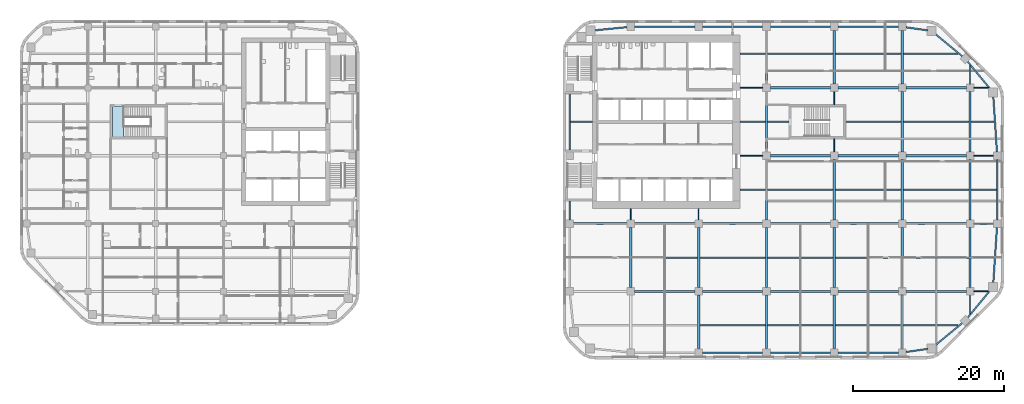
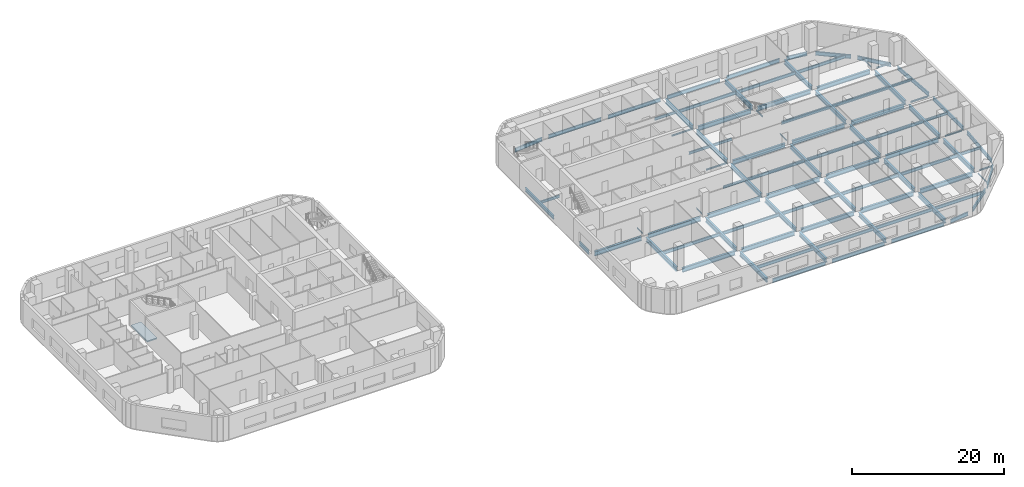
# One storey, part 3 of 16: 93 beams, 1 slab, 1 element without a shape of its own.
"""IFC4 building model written with IfcOpenShell, lengths in metres."""

import ifcopenshell
import ifcopenshell.guid

model = None  # the IFC model being written
_history = None  # IfcOwnerHistory: only IFC2X3 demands one
_inside = {}  # id of a spatial element -> (the spatial element, [elements in it])
_under = {}  # id of a project, library or spatial element -> (it, [spatial elements below it])
_declared = {}  # id of a project -> (the project, [libraries it declares])
_typed = {}  # id of a type object -> (the type object, [elements of that type])
_made_of = {}  # id of a material, layer set ... -> (it, [elements and type objects made of it])


def new_model(schema):
    """Start an empty IFC model of exactly this schema.

    Asked for "IFC4X3", IfcOpenShell would pick the latest addendum, in which some entities
    have other attributes; the version numbers below select the first issue.
    IFC2X3 requires an IfcOwnerHistory on every rooted entity: one is made here for all.
    """
    global model, _history
    if schema == "IFC4X3":
        model = ifcopenshell.file(schema_version=(4, 3, 0, 0))
    else:
        model = ifcopenshell.file(schema=schema)
    _inside.clear()
    _under.clear()
    _declared.clear()
    _typed.clear()
    _made_of.clear()
    _history = None
    if model.schema == "IFC2X3":
        org = make("IfcOrganization", Name="unknown")
        user = make(
            "IfcPersonAndOrganization",
            ThePerson=make("IfcPerson", FamilyName="unknown"),
            TheOrganization=org,
        )
        app = make(
            "IfcApplication",
            ApplicationDeveloper=org,
            Version="unknown",
            ApplicationFullName="unknown",
            ApplicationIdentifier="unknown",
        )
        _history = make(
            "IfcOwnerHistory",
            OwningUser=user,
            OwningApplication=app,
            ChangeAction="ADDED",
            CreationDate=0,
        )
    return model


def make(cls, **values):
    """One entity of the class cls with the attributes given. An attribute that is None is left unset."""
    return model.create_entity(
        cls, **{name: value for name, value in values.items() if value is not None}
    )


def rooted(cls, **values):
    """An entity with a GlobalId (a new one), such as an element, a storey or a relation."""
    return make(cls, GlobalId=ifcopenshell.guid.new(), OwnerHistory=_history, **values)


def si_unit(unit_type, name, prefix=None):
    """IfcSIUnit, for example si_unit("LENGTHUNIT", "METRE", prefix="MILLI")."""
    return make("IfcSIUnit", UnitType=unit_type, Prefix=prefix, Name=name)


def assignment(units):
    """IfcUnitAssignment: the units of a project."""
    return None if units is None else make("IfcUnitAssignment", Units=units)


def point(xyz):
    """IfcCartesianPoint."""
    return None if xyz is None else make("IfcCartesianPoint", Coordinates=xyz)


def direction(xyz):
    """IfcDirection."""
    return None if xyz is None else make("IfcDirection", DirectionRatios=xyz)


def frame(location, z_axis=None, x_axis=None):
    """IfcAxis2Placement3D, a coordinate frame: its origin and axes. An axis left out is left unset."""
    return make(
        "IfcAxis2Placement3D",
        Location=point(location),
        Axis=direction(z_axis),
        RefDirection=direction(x_axis),
    )


def frame_2d(location, x_axis=None):
    """IfcAxis2Placement2D, a coordinate frame in the plane: its origin and x axis."""
    return make(
        "IfcAxis2Placement2D", Location=point(location), RefDirection=direction(x_axis)
    )


def origin():
    """The frame at (0, 0, 0) with its axes left unset."""
    return frame((0.0, 0.0, 0.0))


def origin_2d():
    """The frame at (0, 0) in the plane with its x axis left unset."""
    return frame_2d((0.0, 0.0))


def place(relative_to, where):
    """IfcLocalPlacement: puts the frame where relative to a parent placement (None: the world)."""
    return make(
        "IfcLocalPlacement", PlacementRelTo=relative_to, RelativePlacement=where
    )


def context(
    kind, dimensions, precision=None, world=None, true_north=None, identifier=None
):
    """IfcGeometricRepresentationContext, for example the 3D "Model" context."""
    return make(
        "IfcGeometricRepresentationContext",
        ContextIdentifier=identifier,
        ContextType=kind,
        CoordinateSpaceDimension=dimensions,
        Precision=precision,
        WorldCoordinateSystem=world,
        TrueNorth=true_north,
    )


def subcontext(parent, identifier, kind, view, scale=None):
    """IfcGeometricRepresentationSubContext, for example "Body" below "Model"."""
    return make(
        "IfcGeometricRepresentationSubContext",
        ContextIdentifier=identifier,
        ContextType=kind,
        ParentContext=parent,
        TargetScale=scale,
        TargetView=view,
    )


def project(units=None, contexts=None):
    """IfcProject with its units and contexts."""
    return rooted(
        "IfcProject",
        Name="project",
        RepresentationContexts=contexts,
        UnitsInContext=assignment(units),
    )


def spatial(cls, under=None, at=None, **own):
    """A site, building, storey or space (cls), placed at a placement, below another one or the project."""
    s = rooted(cls, ObjectPlacement=at, **own)
    if under is not None:
        _under.setdefault(under.id(), (under, []))[1].append(s)
    return s


def polyline(points):
    """IfcPolyline through the points."""
    return make("IfcPolyline", Points=[point(p) for p in points])


def profile(cls, at=None, kind="AREA", **sizes):
    """A parametric profile (cls). Its sizes go by their IFC names, for example OverallWidth=200.0."""
    return make(cls, ProfileType=kind, Position=at, **sizes)


def i_section(**sizes):
    """IfcIShapeProfileDef."""
    return profile("IfcIShapeProfileDef", **sizes)


def outline(outer, holes=None, kind="AREA"):
    """IfcArbitraryClosedProfileDef: a profile drawn as a closed curve; with holes, ...WithVoids."""
    if holes is None:
        return make("IfcArbitraryClosedProfileDef", ProfileType=kind, OuterCurve=outer)
    return make(
        "IfcArbitraryProfileDefWithVoids",
        ProfileType=kind,
        OuterCurve=outer,
        InnerCurves=holes,
    )


def extrude(swept, where, along, depth):
    """IfcExtrudedAreaSolid: the profile swept, set in the frame where, extruded along a direction by depth."""
    return make(
        "IfcExtrudedAreaSolid",
        SweptArea=swept,
        Position=where,
        ExtrudedDirection=direction(along),
        Depth=depth,
    )


def shape(context_of_items, identifier, shape_type, items):
    """IfcShapeRepresentation: the items that make up one representation, for example the "Body"."""
    return make(
        "IfcShapeRepresentation",
        ContextOfItems=context_of_items,
        RepresentationIdentifier=identifier,
        RepresentationType=shape_type,
        Items=items,
    )


def material(Name=None, Category=None):
    """IfcMaterial."""
    return make("IfcMaterial", Name=Name, Category=Category)


def layer(
    of_material, thickness, ventilated=None, Name=None, Category=None, Priority=None
):
    """IfcMaterialLayer: one layer of a wall or slab, of a material (None: an air gap)."""
    return make(
        "IfcMaterialLayer",
        Material=of_material,
        LayerThickness=thickness,
        IsVentilated=ventilated,
        Name=Name,
        Category=Category,
        Priority=Priority,
    )


def layer_set(layers, Name=None):
    """IfcMaterialLayerSet."""
    return make("IfcMaterialLayerSet", MaterialLayers=layers, LayerSetName=Name)


def material_profile(
    of_material, cross_section, Name=None, Category=None, Priority=None
):
    """IfcMaterialProfile: a cross section and its material."""
    return make(
        "IfcMaterialProfile",
        Name=Name,
        Material=of_material,
        Profile=cross_section,
        Priority=Priority,
        Category=Category,
    )


def profile_set(profiles, Name=None, composite=None):
    """IfcMaterialProfileSet."""
    return make(
        "IfcMaterialProfileSet",
        Name=Name,
        MaterialProfiles=profiles,
        CompositeProfile=composite,
    )


def made_of(thing, what):
    """Note that an element or type object is made of a material, layer set ...; save() writes the relation."""
    if what is not None:
        _made_of.setdefault(what.id(), (what, []))[1].append(thing)
    return thing


def type_object(cls, material=None, **own):
    """A type object (cls), such as IfcWallType, which elements share."""
    return made_of(rooted(cls, **own), material)


def element(
    cls,
    number,
    at=None,
    inside=None,
    cuts=None,
    type_object=None,
    material=None,
    context=None,
    identifier="Body",
    shape_type=None,
    held_by="IfcProductDefinitionShape",
    body=None,
    shapes=None,
    **own,
):
    """One element of the class cls, such as IfcWall. Its Tag is "e" and its number.

    at: its placement. inside: the storey or other place that contains it. cuts: it is an
    opening in that element (IfcRelVoidsElement). A single representation is given by context,
    identifier, shape_type and body (its items); several are given by shapes. held_by: the class
    of the entity that holds the representations. save() writes the other relations.
    """
    e = rooted(cls, Tag="e%d" % number, ObjectPlacement=at, **own)
    if body is not None:
        shapes = [shape(context, identifier, shape_type, body)]
    if shapes is not None:
        e.Representation = make(held_by, Representations=shapes)
    if inside is not None:
        _inside.setdefault(inside.id(), (inside, []))[1].append(e)
    if cuts is not None:
        rooted(
            "IfcRelVoidsElement", RelatingBuildingElement=cuts, RelatedOpeningElement=e
        )
    if type_object is not None:
        _typed.setdefault(type_object.id(), (type_object, []))[1].append(e)
    return made_of(e, material)


def aggregate(whole, parts):
    """IfcRelAggregates: a whole, such as a stair, and the parts it consists of."""
    return rooted("IfcRelAggregates", RelatingObject=whole, RelatedObjects=parts)


def save(model, path):
    """Write the relations noted so far, then the file.

    IfcRelAggregates (storeys below a building ...), IfcRelContainedInSpatialStructure (elements
    in a storey), IfcRelDefinesByType, IfcRelAssociatesMaterial and IfcRelDeclares: one each for
    every whole, place, type object, material and project.
    """
    for whole, parts in _under.values():
        aggregate(whole, parts)
    for where, things in _inside.values():
        rooted(
            "IfcRelContainedInSpatialStructure",
            RelatedElements=things,
            RelatingStructure=where,
        )
    for kind, things in _typed.values():
        rooted("IfcRelDefinesByType", RelatedObjects=things, RelatingType=kind)
    for what, things in _made_of.values():
        rooted("IfcRelAssociatesMaterial", RelatedObjects=things, RelatingMaterial=what)
    for by, libraries in _declared.values():
        rooted("IfcRelDeclares", RelatingContext=by, RelatedDefinitions=libraries)
    model.write(path)


model = new_model("IFC4")

# Units and contexts
model_context = context("Model", 3, precision=1e-05, world=origin(), true_north=direction((0.0, 1.0)))
body_context = subcontext(model_context, "Body", "Model", "MODEL_VIEW")
ifc_project = project(units=[si_unit("LENGTHUNIT", "METRE"), si_unit("AREAUNIT", "SQUARE_METRE"), si_unit("VOLUMEUNIT", "CUBIC_METRE"), si_unit("PLANEANGLEUNIT", "RADIAN"), si_unit("MASSUNIT", "GRAM", prefix="KILO")], contexts=[model_context])

# Site, building, storey
site_placement = place(None, origin())
site = spatial("IfcSite", under=ifc_project, at=site_placement, CompositionType="ELEMENT")
building_placement = place(site_placement, origin())
building = spatial("IfcBuilding", under=site, at=building_placement, Name="Cinnabar Reach Civic Tower", CompositionType="ELEMENT")
storey_placement = place(building_placement, frame((0.0, 0.0, 34.0)))
storey = spatial("IfcBuildingStorey", under=building, at=storey_placement, Name="L07", CompositionType="ELEMENT", Elevation=34.0)

# Beams
ifc_material_1 = material(Name="Steel Q355B", Category="steel")
ifc_material_profile_1 = material_profile(ifc_material_1, i_section(OverallWidth=0.099, OverallDepth=0.198, WebThickness=0.0045, FlangeThickness=0.007, FilletRadius=0.013, at=origin_2d()), Name="HN200x100x5.5x8")
ifc_profile_set_1 = profile_set([ifc_material_profile_1], Name="Steel Q355B")
beam_type_1 = type_object("IfcBeamType", Name="HN200x100x5.5x8 beam R 180", PredefinedType="BEAM", material=ifc_profile_set_1)
for number, where, z_axis, x_axis, name in (
    (1, (9.0, 18.502, -0.249), (0.0, 1.0, 0.0), (-1.0, 0.0, 0.0), "Girder T1 L07 3"),
    (2, (18.0, 18.502, -0.249), (0.0, 1.0, 0.0), (-1.0, 0.0, 0.0), "Girder T1 L07 6"),
):
    element("IfcBeam", number, at=place(storey_placement, frame(where, z_axis=z_axis, x_axis=x_axis)), inside=storey, type_object=beam_type_1, Name=name, PredefinedType="BEAM", context=body_context, shape_type="SweptSolid", body=[
        extrude(i_section(OverallWidth=0.099, OverallDepth=0.198, WebThickness=0.0045, FlangeThickness=0.007, FilletRadius=0.013, at=origin_2d()), origin(), (0.0, 0.0, 1.0), 1.496),
    ])
for number, where, z_axis, x_axis, name in (
    (3, (36.0, 27.502, -0.249), (0.0, 1.0, 0.0), (-1.0, 0.0, 0.0), "Girder T1 L07 15"),
    (4, (36.0, 33.752, -0.249), (0.0, 1.0, 0.0), (-1.0, 0.0, 0.0), "Girder T1 L07 16"),
):
    element("IfcBeam", number, at=place(storey_placement, frame(where, z_axis=z_axis, x_axis=x_axis)), inside=storey, type_object=beam_type_1, Name=name, PredefinedType="BEAM", context=body_context, shape_type="SweptSolid", body=[
        extrude(i_section(OverallWidth=0.099, OverallDepth=0.198, WebThickness=0.0045, FlangeThickness=0.007, FilletRadius=0.013, at=origin_2d()), origin(), (0.0, 0.0, 1.0), 1.746),
    ])
for number, where, z_axis, x_axis, name in (
    (5, (54.0, 6.0682, -0.249), (0.0, 1.0, 0.0), (-1.0, 0.0, 0.0), "Girder T1 L07 23"),
    (6, (54.0, 36.502, -0.249), (0.0, 1.0, 0.0), (-1.0, 0.0, 0.0), "Girder T1 L07 27"),
):
    element("IfcBeam", number, at=place(storey_placement, frame(where, z_axis=z_axis, x_axis=x_axis)), inside=storey, type_object=beam_type_1, Name=name, PredefinedType="BEAM", context=body_context, shape_type="SweptSolid", body=[
        extrude(i_section(OverallWidth=0.099, OverallDepth=0.198, WebThickness=0.0045, FlangeThickness=0.007, FilletRadius=0.013, at=origin_2d()), origin(), (0.0, 0.0, 1.0), 2.4298),
    ])
ifc_material_profile_2 = material_profile(ifc_material_1, i_section(OverallWidth=0.124, OverallDepth=0.248, WebThickness=0.005, FlangeThickness=0.008, FilletRadius=0.013, at=origin_2d()), Name="HN250x125x6x9")
ifc_profile_set_2 = profile_set([ifc_material_profile_2], Name="Steel Q355B")
beam_type_2 = type_object("IfcBeamType", Name="HN250x125x6x9 beam R 180", PredefinedType="BEAM", material=ifc_profile_set_2)
beam_1_placement = place(storey_placement, frame((54.502, 9.0, -0.274), z_axis=(1.0, 0.0, 0.0), x_axis=(0.0, 1.0, 0.0)))
element("IfcBeam", 7, at=beam_1_placement, inside=storey, type_object=beam_type_2, Name="Girder T1 L07 7", PredefinedType="BEAM", context=body_context, shape_type="SweptSolid", body=[
    extrude(i_section(OverallWidth=0.124, OverallDepth=0.248, WebThickness=0.005, FlangeThickness=0.008, FilletRadius=0.013, at=origin_2d()), origin(), (0.0, 0.0, 1.0), 1.9162),
])
beam_2_placement = place(storey_placement, frame((54.502, 18.0, -0.274), z_axis=(1.0, 0.0, 0.0), x_axis=(0.0, 1.0, 0.0)))
element("IfcBeam", 8, at=beam_2_placement, inside=storey, type_object=beam_type_2, Name="Girder T1 L07 14", PredefinedType="BEAM", context=body_context, shape_type="SweptSolid", body=[
    extrude(i_section(OverallWidth=0.124, OverallDepth=0.248, WebThickness=0.005, FlangeThickness=0.008, FilletRadius=0.013, at=origin_2d()), origin(), (0.0, 0.0, 1.0), 2.596),
])
beam_3_placement = place(storey_placement, frame((23.502, 27.0, -0.274), z_axis=(1.0, 0.0, 0.0), x_axis=(0.0, 1.0, 0.0)))
element("IfcBeam", 9, at=beam_3_placement, inside=storey, type_object=beam_type_2, Name="Girder T1 L07 15", PredefinedType="BEAM", context=body_context, shape_type="SweptSolid", body=[
    extrude(i_section(OverallWidth=0.124, OverallDepth=0.248, WebThickness=0.005, FlangeThickness=0.008, FilletRadius=0.013, at=origin_2d()), origin(), (0.0, 0.0, 1.0), 2.996),
])
beam_4_placement = place(storey_placement, frame((54.502, 27.0, -0.274), z_axis=(1.0, 0.0, 0.0), x_axis=(0.0, 1.0, 0.0)))
element("IfcBeam", 10, at=beam_4_placement, inside=storey, type_object=beam_type_2, Name="Girder T1 L07 19", PredefinedType="BEAM", context=body_context, shape_type="SweptSolid", body=[
    extrude(i_section(OverallWidth=0.124, OverallDepth=0.248, WebThickness=0.005, FlangeThickness=0.008, FilletRadius=0.013, at=origin_2d()), origin(), (0.0, 0.0, 1.0), 2.596),
])
beam_5_placement = place(storey_placement, frame((23.502, 36.0, -0.274), z_axis=(1.0, 0.0, 0.0), x_axis=(0.0, 1.0, 0.0)))
element("IfcBeam", 11, at=beam_5_placement, inside=storey, type_object=beam_type_2, Name="Girder T1 L07 20", PredefinedType="BEAM", context=body_context, shape_type="SweptSolid", body=[
    extrude(i_section(OverallWidth=0.124, OverallDepth=0.248, WebThickness=0.005, FlangeThickness=0.008, FilletRadius=0.013, at=origin_2d()), origin(), (0.0, 0.0, 1.0), 2.996),
])
beam_6_placement = place(storey_placement, frame((54.502, 36.0, -0.274), z_axis=(1.0, 0.0, 0.0), x_axis=(0.0, 1.0, 0.0)))
element("IfcBeam", 12, at=beam_6_placement, inside=storey, type_object=beam_type_2, Name="Girder T1 L07 24", PredefinedType="BEAM", context=body_context, shape_type="SweptSolid", body=[
    extrude(i_section(OverallWidth=0.124, OverallDepth=0.248, WebThickness=0.005, FlangeThickness=0.008, FilletRadius=0.013, at=origin_2d()), origin(), (0.0, 0.0, 1.0), 1.9162),
])
ifc_material_profile_3 = material_profile(ifc_material_1, i_section(OverallWidth=0.2, OverallDepth=0.4, WebThickness=0.008, FlangeThickness=0.013, FilletRadius=0.016, at=origin_2d()), Name="HN400x200x8x13")
ifc_profile_set_3 = profile_set([ifc_material_profile_3], Name="Steel Q355B")
beam_type_3 = type_object("IfcBeamType", Name="HN400x200x8x13 beam R 180", PredefinedType="BEAM", material=ifc_profile_set_3)
beam_7_placement = place(storey_placement, frame((54.152, 13.5, -0.35), z_axis=(1.0, 0.0, 0.0), x_axis=(0.0, 1.0, 0.0)))
element("IfcBeam", 13, at=beam_7_placement, inside=storey, type_object=beam_type_3, Name="Secondary beam T1 L07 13", PredefinedType="BEAM", context=body_context, shape_type="SweptSolid", body=[
    extrude(i_section(OverallWidth=0.2, OverallDepth=0.4, WebThickness=0.008, FlangeThickness=0.013, FilletRadius=0.016, at=origin_2d()), origin(), (0.0, 0.0, 1.0), 3.0494),
])
for number, where, z_axis, x_axis, name in (
    (14, (23.502, 22.5, -0.35), (1.0, 0.0, 0.0), (0.0, 1.0, 0.0), "Secondary beam T1 L07 14"),
    (15, (54.152, 22.5, -0.35), (1.0, 0.0, 0.0), (0.0, 1.0, 0.0), "Secondary beam T1 L07 18"),
):
    element("IfcBeam", number, at=place(storey_placement, frame(where, z_axis=z_axis, x_axis=x_axis)), inside=storey, type_object=beam_type_3, Name=name, PredefinedType="BEAM", context=body_context, shape_type="SweptSolid", body=[
        extrude(i_section(OverallWidth=0.2, OverallDepth=0.4, WebThickness=0.008, FlangeThickness=0.013, FilletRadius=0.016, at=origin_2d()), origin(), (0.0, 0.0, 1.0), 3.346),
    ])
beam_8_placement = place(storey_placement, frame((1.002, 31.5, -0.35), z_axis=(1.0, 0.0, 0.0), x_axis=(0.0, 1.0, 0.0)))
element("IfcBeam", 16, at=beam_8_placement, inside=storey, type_object=beam_type_3, Name="Secondary beam T1 L07 19", PredefinedType="BEAM", context=body_context, shape_type="SweptSolid", body=[
    extrude(i_section(OverallWidth=0.2, OverallDepth=0.4, WebThickness=0.008, FlangeThickness=0.013, FilletRadius=0.016, at=origin_2d()), origin(), (0.0, 0.0, 1.0), 2.896),
])
beam_9_placement = place(storey_placement, frame((23.502, 31.5, -0.35), z_axis=(1.0, 0.0, 0.0), x_axis=(0.0, 1.0, 0.0)))
element("IfcBeam", 17, at=beam_9_placement, inside=storey, type_object=beam_type_3, Name="Secondary beam T1 L07 20", PredefinedType="BEAM", context=body_context, shape_type="SweptSolid", body=[
    extrude(i_section(OverallWidth=0.2, OverallDepth=0.4, WebThickness=0.008, FlangeThickness=0.013, FilletRadius=0.016, at=origin_2d()), origin(), (0.0, 0.0, 1.0), 3.346),
])
beam_10_placement = place(storey_placement, frame((27.152, 31.5, -0.35), z_axis=(1.0, 0.0, 0.0), x_axis=(0.0, 1.0, 0.0)))
element("IfcBeam", 18, at=beam_10_placement, inside=storey, type_object=beam_type_3, Name="Secondary beam T1 L07 21", PredefinedType="BEAM", context=body_context, shape_type="SweptSolid", body=[
    extrude(i_section(OverallWidth=0.2, OverallDepth=0.4, WebThickness=0.008, FlangeThickness=0.013, FilletRadius=0.016, at=origin_2d()), origin(), (0.0, 0.0, 1.0), 2.846),
])
beam_11_placement = place(storey_placement, frame((54.152, 31.5, -0.35), z_axis=(1.0, 0.0, 0.0), x_axis=(0.0, 1.0, 0.0)))
element("IfcBeam", 19, at=beam_11_placement, inside=storey, type_object=beam_type_3, Name="Secondary beam T1 L07 24", PredefinedType="BEAM", context=body_context, shape_type="SweptSolid", body=[
    extrude(i_section(OverallWidth=0.2, OverallDepth=0.4, WebThickness=0.008, FlangeThickness=0.013, FilletRadius=0.016, at=origin_2d()), origin(), (0.0, 0.0, 1.0), 3.0494),
])
beam_12_placement = place(storey_placement, frame((23.502, 40.5, -0.35), z_axis=(1.0, 0.0, 0.0), x_axis=(0.0, 1.0, 0.0)))
element("IfcBeam", 20, at=beam_12_placement, inside=storey, type_object=beam_type_3, Name="Secondary beam T1 L07 25", PredefinedType="BEAM", context=body_context, shape_type="SweptSolid", body=[
    extrude(i_section(OverallWidth=0.2, OverallDepth=0.4, WebThickness=0.008, FlangeThickness=0.013, FilletRadius=0.016, at=origin_2d()), origin(), (0.0, 0.0, 1.0), 3.346),
])
ifc_material_profile_4 = material_profile(ifc_material_1, i_section(OverallWidth=0.2, OverallDepth=0.5, WebThickness=0.01, FlangeThickness=0.016, FilletRadius=0.016, at=origin_2d()), Name="HN500x200x10x16")
ifc_profile_set_4 = profile_set([ifc_material_profile_4], Name="Steel Q355B")
beam_type_4 = type_object("IfcBeamType", Name="HN500x200x10x16 beam R 180", PredefinedType="BEAM", material=ifc_profile_set_4)
for number, where, z_axis, x_axis, name in (
    (21, (18.152, 4.5, -0.4), (1.0, 0.0, 0.0), (0.0, 1.0, 0.0), "Secondary beam T1 L07 3"),
    (22, (27.152, 4.5, -0.4), (1.0, 0.0, 0.0), (0.0, 1.0, 0.0), "Secondary beam T1 L07 4"),
    (23, (36.152, 4.5, -0.4), (1.0, 0.0, 0.0), (0.0, 1.0, 0.0), "Secondary beam T1 L07 5"),
):
    element("IfcBeam", number, at=place(storey_placement, frame(where, z_axis=z_axis, x_axis=x_axis)), inside=storey, type_object=beam_type_4, Name=name, PredefinedType="BEAM", context=body_context, shape_type="SweptSolid", body=[
        extrude(i_section(OverallWidth=0.2, OverallDepth=0.5, WebThickness=0.01, FlangeThickness=0.016, FilletRadius=0.016, at=origin_2d()), origin(), (0.0, 0.0, 1.0), 8.696),
    ])
beam_13_placement = place(storey_placement, frame((45.152, 4.5, -0.4), z_axis=(1.0, 0.0, 0.0), x_axis=(0.0, 1.0, 0.0)))
element("IfcBeam", 24, at=beam_13_placement, inside=storey, type_object=beam_type_4, Name="Secondary beam T1 L07 6", PredefinedType="BEAM", context=body_context, shape_type="SweptSolid", body=[
    extrude(i_section(OverallWidth=0.2, OverallDepth=0.5, WebThickness=0.01, FlangeThickness=0.016, FilletRadius=0.016, at=origin_2d()), origin(), (0.0, 0.0, 1.0), 7.2798),
])
for number, where, z_axis, x_axis, name in (
    (25, (9.152, 13.5, -0.4), (1.0, 0.0, 0.0), (0.0, 1.0, 0.0), "Secondary beam T1 L07 8"),
    (26, (18.152, 13.5, -0.4), (1.0, 0.0, 0.0), (0.0, 1.0, 0.0), "Secondary beam T1 L07 9"),
    (27, (27.152, 13.5, -0.4), (1.0, 0.0, 0.0), (0.0, 1.0, 0.0), "Secondary beam T1 L07 10"),
    (28, (36.152, 13.5, -0.4), (1.0, 0.0, 0.0), (0.0, 1.0, 0.0), "Secondary beam T1 L07 11"),
    (29, (45.152, 13.5, -0.4), (1.0, 0.0, 0.0), (0.0, 1.0, 0.0), "Secondary beam T1 L07 12"),
    (30, (27.152, 22.5, -0.4), (1.0, 0.0, 0.0), (0.0, 1.0, 0.0), "Secondary beam T1 L07 15"),
    (31, (36.152, 22.5, -0.4), (1.0, 0.0, 0.0), (0.0, 1.0, 0.0), "Secondary beam T1 L07 16"),
    (32, (45.152, 22.5, -0.4), (1.0, 0.0, 0.0), (0.0, 1.0, 0.0), "Secondary beam T1 L07 17"),
):
    element("IfcBeam", number, at=place(storey_placement, frame(where, z_axis=z_axis, x_axis=x_axis)), inside=storey, type_object=beam_type_4, Name=name, PredefinedType="BEAM", context=body_context, shape_type="SweptSolid", body=[
        extrude(i_section(OverallWidth=0.2, OverallDepth=0.5, WebThickness=0.01, FlangeThickness=0.016, FilletRadius=0.016, at=origin_2d()), origin(), (0.0, 0.0, 1.0), 8.696),
    ])
beam_14_placement = place(storey_placement, frame((37.502, 31.5, -0.4), z_axis=(1.0, 0.0, 0.0), x_axis=(0.0, 1.0, 0.0)))
element("IfcBeam", 33, at=beam_14_placement, inside=storey, type_object=beam_type_4, Name="Secondary beam T1 L07 22", PredefinedType="BEAM", context=body_context, shape_type="SweptSolid", body=[
    extrude(i_section(OverallWidth=0.2, OverallDepth=0.5, WebThickness=0.01, FlangeThickness=0.016, FilletRadius=0.016, at=origin_2d()), origin(), (0.0, 0.0, 1.0), 7.346),
])
for number, where, z_axis, x_axis, name in (
    (34, (45.152, 31.5, -0.4), (1.0, 0.0, 0.0), (0.0, 1.0, 0.0), "Secondary beam T1 L07 23"),
    (35, (27.152, 40.5, -0.4), (1.0, 0.0, 0.0), (0.0, 1.0, 0.0), "Secondary beam T1 L07 26"),
    (36, (36.152, 40.5, -0.4), (1.0, 0.0, 0.0), (0.0, 1.0, 0.0), "Secondary beam T1 L07 27"),
):
    element("IfcBeam", number, at=place(storey_placement, frame(where, z_axis=z_axis, x_axis=x_axis)), inside=storey, type_object=beam_type_4, Name=name, PredefinedType="BEAM", context=body_context, shape_type="SweptSolid", body=[
        extrude(i_section(OverallWidth=0.2, OverallDepth=0.5, WebThickness=0.01, FlangeThickness=0.016, FilletRadius=0.016, at=origin_2d()), origin(), (0.0, 0.0, 1.0), 8.696),
    ])
beam_15_placement = place(storey_placement, frame((45.152, 40.5, -0.4), z_axis=(1.0, 0.0, 0.0), x_axis=(0.0, 1.0, 0.0)))
element("IfcBeam", 37, at=beam_15_placement, inside=storey, type_object=beam_type_4, Name="Secondary beam T1 L07 28", PredefinedType="BEAM", context=body_context, shape_type="SweptSolid", body=[
    extrude(i_section(OverallWidth=0.2, OverallDepth=0.5, WebThickness=0.01, FlangeThickness=0.016, FilletRadius=0.016, at=origin_2d()), origin(), (0.0, 0.0, 1.0), 7.2798),
])
ifc_material_profile_5 = material_profile(ifc_material_1, i_section(OverallWidth=0.2, OverallDepth=0.6, WebThickness=0.011, FlangeThickness=0.017, FilletRadius=0.016, at=origin_2d()), Name="HN600x200x11x17")
ifc_profile_set_5 = profile_set([ifc_material_profile_5], Name="Steel Q355B")
beam_type_5 = type_object("IfcBeamType", Name="HN600x200x11x17 beam R 180", PredefinedType="BEAM", material=ifc_profile_set_5)
for number, where, z_axis, x_axis, name in (
    (38, (18.502, 0.9, -0.45), (1.0, 0.0, 0.0), (0.0, 1.0, 0.0), "Edge beam T1 L07 3"),
    (39, (27.502, 0.9, -0.45), (1.0, 0.0, 0.0), (0.0, 1.0, 0.0), "Edge beam T1 L07 4"),
    (40, (36.502, 0.9, -0.45), (1.0, 0.0, 0.0), (0.0, 1.0, 0.0), "Edge beam T1 L07 5"),
):
    element("IfcBeam", number, at=place(storey_placement, frame(where, z_axis=z_axis, x_axis=x_axis)), inside=storey, type_object=beam_type_5, Name=name, PredefinedType="BEAM", context=body_context, shape_type="SweptSolid", body=[
        extrude(i_section(OverallWidth=0.2, OverallDepth=0.6, WebThickness=0.011, FlangeThickness=0.017, FilletRadius=0.016, at=origin_2d()), origin(), (0.0, 0.0, 1.0), 7.996),
    ])
beam_16_placement = place(storey_placement, frame((45.502, 0.9712, -0.45), z_axis=(0.990082238922, 0.140489003738, 0.0), x_axis=(-0.140489003738, 0.990082238922, 0.0)))
element("IfcBeam", 41, at=beam_16_placement, inside=storey, type_object=beam_type_5, Name="Edge beam T1 L07 6", PredefinedType="BEAM", context=body_context, shape_type="SweptSolid", body=[
    extrude(i_section(OverallWidth=0.2, OverallDepth=0.6, WebThickness=0.011, FlangeThickness=0.017, FilletRadius=0.016, at=origin_2d()), origin(), (0.0, 0.0, 1.0), 2.9433),
])
for number, where, z_axis, x_axis, name in (
    (42, (49.3801, 1.8507, -0.45), (0.77143827905, 0.6363041581, 0.0), (-0.6363041581, 0.77143827905, 0.0), "Edge beam T1 L07 7"),
    (43, (53.6461, 5.4789, -0.45), (0.6363041581, 0.77143827905, 0.0), (-0.77143827905, 0.6363041581, 0.0), "Edge beam T1 L07 8"),
):
    element("IfcBeam", number, at=place(storey_placement, frame(where, z_axis=z_axis, x_axis=x_axis)), inside=storey, type_object=beam_type_5, Name=name, PredefinedType="BEAM", context=body_context, shape_type="SweptSolid", body=[
        extrude(i_section(OverallWidth=0.2, OverallDepth=0.6, WebThickness=0.011, FlangeThickness=0.017, FilletRadius=0.016, at=origin_2d()), origin(), (0.0, 0.0, 1.0), 4.7198),
    ])
beam_17_placement = place(storey_placement, frame((57.0786, 10.0839, -0.45), z_axis=(0.065718615968, 0.997838195057, 0.0), x_axis=(-0.997838195057, 0.065718615968, 0.0)))
element("IfcBeam", 44, at=beam_17_placement, inside=storey, type_object=beam_type_5, Name="Edge beam T1 L07 9", PredefinedType="BEAM", context=body_context, shape_type="SweptSolid", body=[
    extrude(i_section(OverallWidth=0.2, OverallDepth=0.6, WebThickness=0.011, FlangeThickness=0.017, FilletRadius=0.016, at=origin_2d()), origin(), (0.0, 0.0, 1.0), 7.4302),
])
beam_18_placement = place(storey_placement, frame((57.6, 18.502, -0.45), z_axis=(0.0, 1.0, 0.0), x_axis=(-1.0, 0.0, 0.0)))
element("IfcBeam", 45, at=beam_18_placement, inside=storey, type_object=beam_type_5, Name="Edge beam T1 L07 10", PredefinedType="BEAM", context=body_context, shape_type="SweptSolid", body=[
    extrude(i_section(OverallWidth=0.2, OverallDepth=0.6, WebThickness=0.011, FlangeThickness=0.017, FilletRadius=0.016, at=origin_2d()), origin(), (0.0, 0.0, 1.0), 7.996),
])
beam_19_placement = place(storey_placement, frame((57.5669, 27.502, -0.45), z_axis=(-0.065718615968, 0.997838195057, 0.0), x_axis=(-0.997838195057, -0.065718615968, 0.0)))
element("IfcBeam", 46, at=beam_19_placement, inside=storey, type_object=beam_type_5, Name="Edge beam T1 L07 11", PredefinedType="BEAM", context=body_context, shape_type="SweptSolid", body=[
    extrude(i_section(OverallWidth=0.2, OverallDepth=0.6, WebThickness=0.011, FlangeThickness=0.017, FilletRadius=0.016, at=origin_2d()), origin(), (0.0, 0.0, 1.0), 7.4302),
])
for number, where, z_axis, x_axis, name in (
    (47, (56.6493, 35.8801, -0.45), (-0.6363041581, 0.77143827905, 0.0), (-0.77143827905, -0.6363041581, 0.0), "Edge beam T1 L07 12"),
    (48, (53.0211, 40.1461, -0.45), (-0.77143827905, 0.6363041581, 0.0), (-0.6363041581, -0.77143827905, 0.0), "Edge beam T1 L07 13"),
):
    element("IfcBeam", number, at=place(storey_placement, frame(where, z_axis=z_axis, x_axis=x_axis)), inside=storey, type_object=beam_type_5, Name=name, PredefinedType="BEAM", context=body_context, shape_type="SweptSolid", body=[
        extrude(i_section(OverallWidth=0.2, OverallDepth=0.6, WebThickness=0.011, FlangeThickness=0.017, FilletRadius=0.016, at=origin_2d()), origin(), (0.0, 0.0, 1.0), 4.7198),
    ])
beam_20_placement = place(storey_placement, frame((48.4161, 43.6153, -0.45), z_axis=(-0.990082238922, 0.140489003738, 0.0), x_axis=(-0.140489003738, -0.990082238922, 0.0)))
element("IfcBeam", 49, at=beam_20_placement, inside=storey, type_object=beam_type_5, Name="Edge beam T1 L07 14", PredefinedType="BEAM", context=body_context, shape_type="SweptSolid", body=[
    extrude(i_section(OverallWidth=0.2, OverallDepth=0.6, WebThickness=0.011, FlangeThickness=0.017, FilletRadius=0.016, at=origin_2d()), origin(), (0.0, 0.0, 1.0), 2.9433),
])
for number, where, z_axis, x_axis, name in (
    (50, (44.498, 44.1, -0.45), (-1.0, 0.0, 0.0), (0.0, -1.0, 0.0), "Edge beam T1 L07 15"),
    (51, (35.498, 44.1, -0.45), (-1.0, 0.0, 0.0), (0.0, -1.0, 0.0), "Edge beam T1 L07 16"),
    (52, (26.498, 44.1, -0.45), (-1.0, 0.0, 0.0), (0.0, -1.0, 0.0), "Edge beam T1 L07 17"),
    (53, (17.498, 44.1, -0.45), (-1.0, 0.0, 0.0), (0.0, -1.0, 0.0), "Edge beam T1 L07 18"),
):
    element("IfcBeam", number, at=place(storey_placement, frame(where, z_axis=z_axis, x_axis=x_axis)), inside=storey, type_object=beam_type_5, Name=name, PredefinedType="BEAM", context=body_context, shape_type="SweptSolid", body=[
        extrude(i_section(OverallWidth=0.2, OverallDepth=0.6, WebThickness=0.011, FlangeThickness=0.017, FilletRadius=0.016, at=origin_2d()), origin(), (0.0, 0.0, 1.0), 7.996),
    ])
beam_21_placement = place(storey_placement, frame((8.498, 44.0505, -0.45), z_axis=(-0.995166374533, -0.098203294236, 0.0), x_axis=(0.098203294236, -0.995166374533, 0.0)))
element("IfcBeam", 54, at=beam_21_placement, inside=storey, type_object=beam_type_5, Name="Edge beam T1 L07 19", PredefinedType="BEAM", context=body_context, shape_type="SweptSolid", body=[
    extrude(i_section(OverallWidth=0.2, OverallDepth=0.6, WebThickness=0.011, FlangeThickness=0.017, FilletRadius=0.016, at=origin_2d()), origin(), (0.0, 0.0, 1.0), 4.3705),
])
beam_22_placement = place(storey_placement, frame((0.9, 35.248, -0.45), z_axis=(0.0, -1.0, 0.0), x_axis=(1.0, 0.0, 0.0)))
element("IfcBeam", 55, at=beam_22_placement, inside=storey, type_object=beam_type_5, Name="Edge beam T1 L07 20", PredefinedType="BEAM", context=body_context, shape_type="SweptSolid", body=[
    extrude(i_section(OverallWidth=0.2, OverallDepth=0.6, WebThickness=0.011, FlangeThickness=0.017, FilletRadius=0.016, at=origin_2d()), origin(), (0.0, 0.0, 1.0), 7.496),
])
beam_23_placement = place(storey_placement, frame((0.9, 20.998, -0.45), z_axis=(0.0, -1.0, 0.0), x_axis=(1.0, 0.0, 0.0)))
element("IfcBeam", 56, at=beam_23_placement, inside=storey, type_object=beam_type_5, Name="Edge beam T1 L07 21", PredefinedType="BEAM", context=body_context, shape_type="SweptSolid", body=[
    extrude(i_section(OverallWidth=0.2, OverallDepth=0.6, WebThickness=0.011, FlangeThickness=0.017, FilletRadius=0.016, at=origin_2d()), origin(), (0.0, 0.0, 1.0), 2.496),
])
ifc_material_profile_6 = material_profile(ifc_material_1, i_section(OverallWidth=0.3, OverallDepth=0.692, WebThickness=0.013, FlangeThickness=0.02, FilletRadius=0.016, at=origin_2d()), Name="HN692x300x13x20")
ifc_profile_set_6 = profile_set([ifc_material_profile_6], Name="Steel Q355B")
beam_type_6 = type_object("IfcBeamType", Name="HN692x300x13x20 beam R 180", PredefinedType="BEAM", material=ifc_profile_set_6)
beam_24_placement = place(storey_placement, frame((9.0, 9.502, -0.496), z_axis=(0.0, 1.0, 0.0), x_axis=(-1.0, 0.0, 0.0)))
element("IfcBeam", 57, at=beam_24_placement, inside=storey, type_object=beam_type_6, Name="Girder T1 L07 2", PredefinedType="BEAM", context=body_context, shape_type="SweptSolid", body=[
    extrude(i_section(OverallWidth=0.3, OverallDepth=0.692, WebThickness=0.013, FlangeThickness=0.02, FilletRadius=0.016, at=origin_2d()), origin(), (0.0, 0.0, 1.0), 7.996),
])
beam_25_placement = place(storey_placement, frame((18.0, 1.402, -0.496), z_axis=(0.0, 1.0, 0.0), x_axis=(-1.0, 0.0, 0.0)))
element("IfcBeam", 58, at=beam_25_placement, inside=storey, type_object=beam_type_6, Name="Girder T1 L07 4", PredefinedType="BEAM", context=body_context, shape_type="SweptSolid", body=[
    extrude(i_section(OverallWidth=0.3, OverallDepth=0.692, WebThickness=0.013, FlangeThickness=0.02, FilletRadius=0.016, at=origin_2d()), origin(), (0.0, 0.0, 1.0), 7.096),
])
beam_26_placement = place(storey_placement, frame((18.0, 9.502, -0.496), z_axis=(0.0, 1.0, 0.0), x_axis=(-1.0, 0.0, 0.0)))
element("IfcBeam", 59, at=beam_26_placement, inside=storey, type_object=beam_type_6, Name="Girder T1 L07 5", PredefinedType="BEAM", context=body_context, shape_type="SweptSolid", body=[
    extrude(i_section(OverallWidth=0.3, OverallDepth=0.692, WebThickness=0.013, FlangeThickness=0.02, FilletRadius=0.016, at=origin_2d()), origin(), (0.0, 0.0, 1.0), 7.996),
])
beam_27_placement = place(storey_placement, frame((27.0, 1.402, -0.496), z_axis=(0.0, 1.0, 0.0), x_axis=(-1.0, 0.0, 0.0)))
element("IfcBeam", 60, at=beam_27_placement, inside=storey, type_object=beam_type_6, Name="Girder T1 L07 7", PredefinedType="BEAM", context=body_context, shape_type="SweptSolid", body=[
    extrude(i_section(OverallWidth=0.3, OverallDepth=0.692, WebThickness=0.013, FlangeThickness=0.02, FilletRadius=0.016, at=origin_2d()), origin(), (0.0, 0.0, 1.0), 7.096),
])
for number, where, z_axis, x_axis, name in (
    (61, (27.0, 9.502, -0.496), (0.0, 1.0, 0.0), (-1.0, 0.0, 0.0), "Girder T1 L07 8"),
    (62, (27.0, 18.502, -0.496), (0.0, 1.0, 0.0), (-1.0, 0.0, 0.0), "Girder T1 L07 9"),
    (63, (27.0, 27.502, -0.496), (0.0, 1.0, 0.0), (-1.0, 0.0, 0.0), "Girder T1 L07 10"),
):
    element("IfcBeam", number, at=place(storey_placement, frame(where, z_axis=z_axis, x_axis=x_axis)), inside=storey, type_object=beam_type_6, Name=name, PredefinedType="BEAM", context=body_context, shape_type="SweptSolid", body=[
        extrude(i_section(OverallWidth=0.3, OverallDepth=0.692, WebThickness=0.013, FlangeThickness=0.02, FilletRadius=0.016, at=origin_2d()), origin(), (0.0, 0.0, 1.0), 7.996),
    ])
for number, where, z_axis, x_axis, name in (
    (64, (27.0, 36.502, -0.496), (0.0, 1.0, 0.0), (-1.0, 0.0, 0.0), "Girder T1 L07 11"),
    (65, (36.0, 1.402, -0.496), (0.0, 1.0, 0.0), (-1.0, 0.0, 0.0), "Girder T1 L07 12"),
):
    element("IfcBeam", number, at=place(storey_placement, frame(where, z_axis=z_axis, x_axis=x_axis)), inside=storey, type_object=beam_type_6, Name=name, PredefinedType="BEAM", context=body_context, shape_type="SweptSolid", body=[
        extrude(i_section(OverallWidth=0.3, OverallDepth=0.692, WebThickness=0.013, FlangeThickness=0.02, FilletRadius=0.016, at=origin_2d()), origin(), (0.0, 0.0, 1.0), 7.096),
    ])
for number, where, z_axis, x_axis, name in (
    (66, (36.0, 9.502, -0.496), (0.0, 1.0, 0.0), (-1.0, 0.0, 0.0), "Girder T1 L07 13"),
    (67, (36.0, 18.502, -0.496), (0.0, 1.0, 0.0), (-1.0, 0.0, 0.0), "Girder T1 L07 14"),
):
    element("IfcBeam", number, at=place(storey_placement, frame(where, z_axis=z_axis, x_axis=x_axis)), inside=storey, type_object=beam_type_6, Name=name, PredefinedType="BEAM", context=body_context, shape_type="SweptSolid", body=[
        extrude(i_section(OverallWidth=0.3, OverallDepth=0.692, WebThickness=0.013, FlangeThickness=0.02, FilletRadius=0.016, at=origin_2d()), origin(), (0.0, 0.0, 1.0), 7.996),
    ])
for number, where, z_axis, x_axis, name in (
    (68, (36.0, 36.502, -0.496), (0.0, 1.0, 0.0), (-1.0, 0.0, 0.0), "Girder T1 L07 17"),
    (69, (45.0, 1.402, -0.496), (0.0, 1.0, 0.0), (-1.0, 0.0, 0.0), "Girder T1 L07 18"),
):
    element("IfcBeam", number, at=place(storey_placement, frame(where, z_axis=z_axis, x_axis=x_axis)), inside=storey, type_object=beam_type_6, Name=name, PredefinedType="BEAM", context=body_context, shape_type="SweptSolid", body=[
        extrude(i_section(OverallWidth=0.3, OverallDepth=0.692, WebThickness=0.013, FlangeThickness=0.02, FilletRadius=0.016, at=origin_2d()), origin(), (0.0, 0.0, 1.0), 7.096),
    ])
for number, where, z_axis, x_axis, name in (
    (70, (45.0, 9.502, -0.496), (0.0, 1.0, 0.0), (-1.0, 0.0, 0.0), "Girder T1 L07 19"),
    (71, (45.0, 18.502, -0.496), (0.0, 1.0, 0.0), (-1.0, 0.0, 0.0), "Girder T1 L07 20"),
    (72, (45.0, 27.502, -0.496), (0.0, 1.0, 0.0), (-1.0, 0.0, 0.0), "Girder T1 L07 21"),
):
    element("IfcBeam", number, at=place(storey_placement, frame(where, z_axis=z_axis, x_axis=x_axis)), inside=storey, type_object=beam_type_6, Name=name, PredefinedType="BEAM", context=body_context, shape_type="SweptSolid", body=[
        extrude(i_section(OverallWidth=0.3, OverallDepth=0.692, WebThickness=0.013, FlangeThickness=0.02, FilletRadius=0.016, at=origin_2d()), origin(), (0.0, 0.0, 1.0), 7.996),
    ])
beam_28_placement = place(storey_placement, frame((45.0, 36.502, -0.496), z_axis=(0.0, 1.0, 0.0), x_axis=(-1.0, 0.0, 0.0)))
element("IfcBeam", 73, at=beam_28_placement, inside=storey, type_object=beam_type_6, Name="Girder T1 L07 22", PredefinedType="BEAM", context=body_context, shape_type="SweptSolid", body=[
    extrude(i_section(OverallWidth=0.3, OverallDepth=0.692, WebThickness=0.013, FlangeThickness=0.02, FilletRadius=0.016, at=origin_2d()), origin(), (0.0, 0.0, 1.0), 7.096),
])
for number, where, z_axis, x_axis, name in (
    (74, (54.0, 9.502, -0.496), (0.0, 1.0, 0.0), (-1.0, 0.0, 0.0), "Girder T1 L07 24"),
    (75, (54.0, 18.502, -0.496), (0.0, 1.0, 0.0), (-1.0, 0.0, 0.0), "Girder T1 L07 25"),
    (76, (54.0, 27.502, -0.496), (0.0, 1.0, 0.0), (-1.0, 0.0, 0.0), "Girder T1 L07 26"),
):
    element("IfcBeam", number, at=place(storey_placement, frame(where, z_axis=z_axis, x_axis=x_axis)), inside=storey, type_object=beam_type_6, Name=name, PredefinedType="BEAM", context=body_context, shape_type="SweptSolid", body=[
        extrude(i_section(OverallWidth=0.3, OverallDepth=0.692, WebThickness=0.013, FlangeThickness=0.02, FilletRadius=0.016, at=origin_2d()), origin(), (0.0, 0.0, 1.0), 7.996),
    ])
ifc_material_profile_7 = material_profile(ifc_material_1, i_section(OverallWidth=0.3, OverallDepth=0.7, WebThickness=0.013, FlangeThickness=0.024, FilletRadius=0.02, at=origin_2d()), Name="HN700x300x13x24")
ifc_profile_set_7 = profile_set([ifc_material_profile_7], Name="Steel Q355B")
beam_type_7 = type_object("IfcBeamType", Name="HN700x300x13x24 beam R 180", PredefinedType="BEAM", material=ifc_profile_set_7)
for number, where, z_axis, x_axis, name in (
    (77, (9.502, 9.0, -0.5), (1.0, 0.0, 0.0), (0.0, 1.0, 0.0), "Girder T1 L07 2"),
    (78, (18.502, 9.0, -0.5), (1.0, 0.0, 0.0), (0.0, 1.0, 0.0), "Girder T1 L07 3"),
    (79, (27.502, 9.0, -0.5), (1.0, 0.0, 0.0), (0.0, 1.0, 0.0), "Girder T1 L07 4"),
    (80, (36.502, 9.0, -0.5), (1.0, 0.0, 0.0), (0.0, 1.0, 0.0), "Girder T1 L07 5"),
    (81, (45.502, 9.0, -0.5), (1.0, 0.0, 0.0), (0.0, 1.0, 0.0), "Girder T1 L07 6"),
):
    element("IfcBeam", number, at=place(storey_placement, frame(where, z_axis=z_axis, x_axis=x_axis)), inside=storey, type_object=beam_type_7, Name=name, PredefinedType="BEAM", context=body_context, shape_type="SweptSolid", body=[
        extrude(i_section(OverallWidth=0.3, OverallDepth=0.7, WebThickness=0.013, FlangeThickness=0.024, FilletRadius=0.02, at=origin_2d()), origin(), (0.0, 0.0, 1.0), 7.996),
    ])
beam_29_placement = place(storey_placement, frame((1.402, 18.0, -0.5), z_axis=(1.0, 0.0, 0.0), x_axis=(0.0, 1.0, 0.0)))
element("IfcBeam", 82, at=beam_29_placement, inside=storey, type_object=beam_type_7, Name="Girder T1 L07 8", PredefinedType="BEAM", context=body_context, shape_type="SweptSolid", body=[
    extrude(i_section(OverallWidth=0.3, OverallDepth=0.7, WebThickness=0.013, FlangeThickness=0.024, FilletRadius=0.02, at=origin_2d()), origin(), (0.0, 0.0, 1.0), 7.096),
])
for number, where, z_axis, x_axis, name in (
    (83, (9.502, 18.0, -0.5), (1.0, 0.0, 0.0), (0.0, 1.0, 0.0), "Girder T1 L07 9"),
    (84, (18.502, 18.0, -0.5), (1.0, 0.0, 0.0), (0.0, 1.0, 0.0), "Girder T1 L07 10"),
    (85, (27.502, 18.0, -0.5), (1.0, 0.0, 0.0), (0.0, 1.0, 0.0), "Girder T1 L07 11"),
    (86, (36.502, 18.0, -0.5), (1.0, 0.0, 0.0), (0.0, 1.0, 0.0), "Girder T1 L07 12"),
    (87, (45.502, 18.0, -0.5), (1.0, 0.0, 0.0), (0.0, 1.0, 0.0), "Girder T1 L07 13"),
    (88, (27.502, 27.0, -0.5), (1.0, 0.0, 0.0), (0.0, 1.0, 0.0), "Girder T1 L07 16"),
    (89, (36.502, 27.0, -0.5), (1.0, 0.0, 0.0), (0.0, 1.0, 0.0), "Girder T1 L07 17"),
    (90, (45.502, 27.0, -0.5), (1.0, 0.0, 0.0), (0.0, 1.0, 0.0), "Girder T1 L07 18"),
    (91, (27.502, 36.0, -0.5), (1.0, 0.0, 0.0), (0.0, 1.0, 0.0), "Girder T1 L07 21"),
    (92, (36.502, 36.0, -0.5), (1.0, 0.0, 0.0), (0.0, 1.0, 0.0), "Girder T1 L07 22"),
    (93, (45.502, 36.0, -0.5), (1.0, 0.0, 0.0), (0.0, 1.0, 0.0), "Girder T1 L07 23"),
):
    element("IfcBeam", number, at=place(storey_placement, frame(where, z_axis=z_axis, x_axis=x_axis)), inside=storey, type_object=beam_type_7, Name=name, PredefinedType="BEAM", context=body_context, shape_type="SweptSolid", body=[
        extrude(i_section(OverallWidth=0.3, OverallDepth=0.7, WebThickness=0.013, FlangeThickness=0.024, FilletRadius=0.02, at=origin_2d()), origin(), (0.0, 0.0, 1.0), 7.996),
    ])

# Stair, slab
ifc_material_2 = material(Name="Concrete C40", Category="concrete")
stair_type = type_object("IfcStairType", Name="T2 Exit stair 1500", PredefinedType="HALF_TURN_STAIR", material=ifc_material_2)
stair_placement = place(storey_placement, origin())
stair = element("IfcStair", 94, at=stair_placement, inside=storey, type_object=stair_type, Name="Exit stair 3", PredefinedType="HALF_TURN_STAIR")
ifc_layer = layer(ifc_material_2, 0.2)
ifc_layer_set = layer_set([ifc_layer], Name="T2 Stair landing 200")
slab_type = type_object("IfcSlabType", Name="T2 Stair landing 200", PredefinedType="LANDING", material=ifc_layer_set)
slab_placement = place(storey_placement, frame((0.0, 0.0, -0.2)))
slab = element("IfcSlab", 95, at=slab_placement, type_object=slab_type, Name="ST3 landing 1", PredefinedType="LANDING", context=body_context, shape_type="SweptSolid", body=[
    extrude(outline(polyline([(-59.75, 29.375), (-59.75, 33.625), (-58.25, 33.625), (-58.25, 29.375), (-59.75, 29.375)])), origin(), (0.0, 0.0, 1.0), 0.2),
])
aggregate(stair, [slab])

save(model, "model.ifc")
